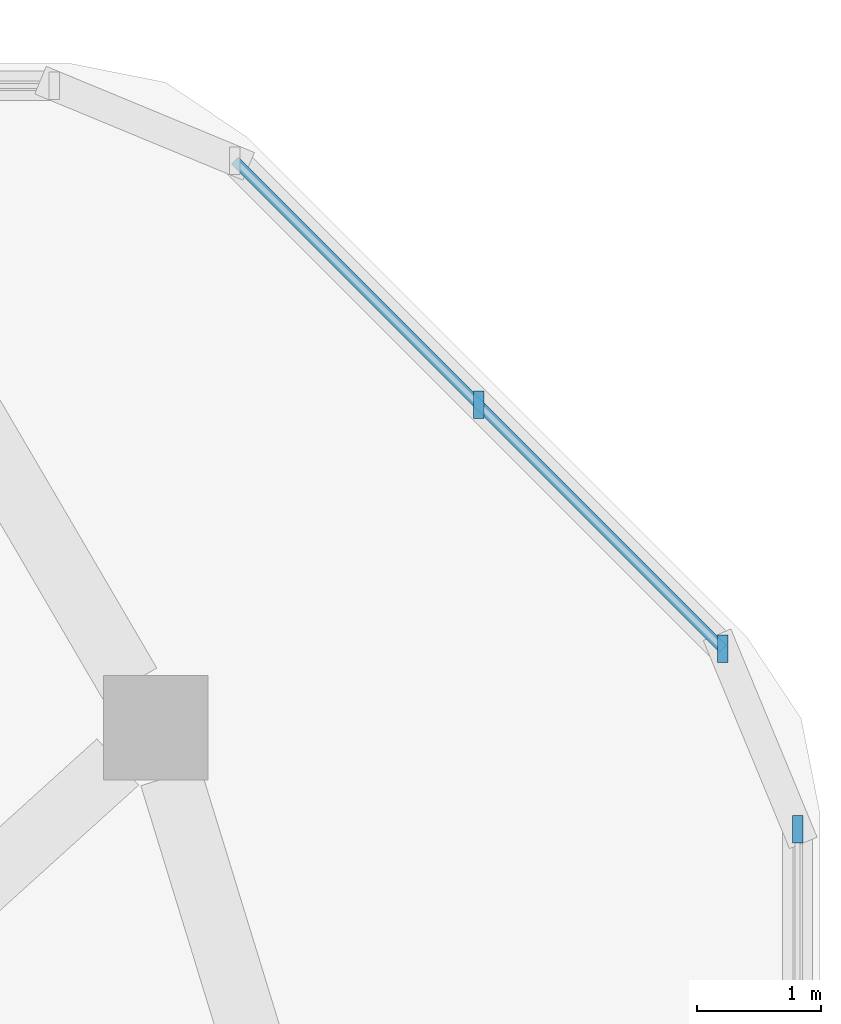
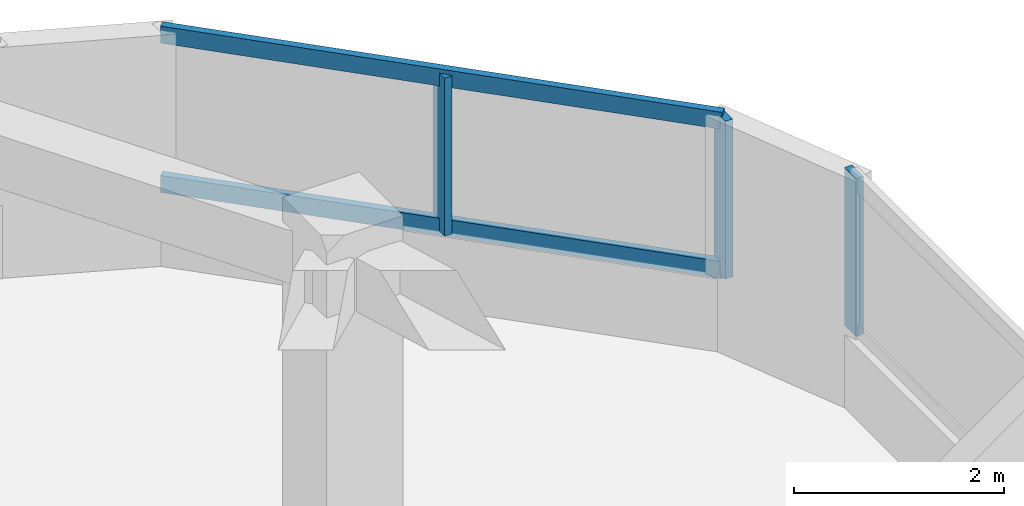
# One storey, part 6 of 13: 5 members, 2 elements without a shape of their own.
"""IFC4 building model written with IfcOpenShell, lengths in metres."""

import ifcopenshell
import ifcopenshell.guid

model = None  # the IFC model being written
_history = None  # IfcOwnerHistory: only IFC2X3 demands one
_inside = {}  # id of a spatial element -> (the spatial element, [elements in it])
_under = {}  # id of a project, library or spatial element -> (it, [spatial elements below it])
_declared = {}  # id of a project -> (the project, [libraries it declares])
_typed = {}  # id of a type object -> (the type object, [elements of that type])
_made_of = {}  # id of a material, layer set ... -> (it, [elements and type objects made of it])


def new_model(schema):
    """Start an empty IFC model of exactly this schema.

    Asked for "IFC4X3", IfcOpenShell would pick the latest addendum, in which some entities
    have other attributes; the version numbers below select the first issue.
    IFC2X3 requires an IfcOwnerHistory on every rooted entity: one is made here for all.
    """
    global model, _history
    if schema == "IFC4X3":
        model = ifcopenshell.file(schema_version=(4, 3, 0, 0))
    else:
        model = ifcopenshell.file(schema=schema)
    _inside.clear()
    _under.clear()
    _declared.clear()
    _typed.clear()
    _made_of.clear()
    _history = None
    if model.schema == "IFC2X3":
        org = make("IfcOrganization", Name="unknown")
        user = make(
            "IfcPersonAndOrganization",
            ThePerson=make("IfcPerson", FamilyName="unknown"),
            TheOrganization=org,
        )
        app = make(
            "IfcApplication",
            ApplicationDeveloper=org,
            Version="unknown",
            ApplicationFullName="unknown",
            ApplicationIdentifier="unknown",
        )
        _history = make(
            "IfcOwnerHistory",
            OwningUser=user,
            OwningApplication=app,
            ChangeAction="ADDED",
            CreationDate=0,
        )
    return model


def make(cls, **values):
    """One entity of the class cls with the attributes given. An attribute that is None is left unset."""
    return model.create_entity(
        cls, **{name: value for name, value in values.items() if value is not None}
    )


def rooted(cls, **values):
    """An entity with a GlobalId (a new one), such as an element, a storey or a relation."""
    return make(cls, GlobalId=ifcopenshell.guid.new(), OwnerHistory=_history, **values)


def si_unit(unit_type, name, prefix=None):
    """IfcSIUnit, for example si_unit("LENGTHUNIT", "METRE", prefix="MILLI")."""
    return make("IfcSIUnit", UnitType=unit_type, Prefix=prefix, Name=name)


def derived_unit(unit_type, elements):
    """IfcDerivedUnit: a product of units, each with its exponent."""
    return make(
        "IfcDerivedUnit",
        Elements=[
            make("IfcDerivedUnitElement", Unit=unit, Exponent=power)
            for unit, power in elements
        ],
        UnitType=unit_type,
    )


def assignment(units):
    """IfcUnitAssignment: the units of a project."""
    return None if units is None else make("IfcUnitAssignment", Units=units)


def point(xyz):
    """IfcCartesianPoint."""
    return None if xyz is None else make("IfcCartesianPoint", Coordinates=xyz)


def direction(xyz):
    """IfcDirection."""
    return None if xyz is None else make("IfcDirection", DirectionRatios=xyz)


def frame(location, z_axis=None, x_axis=None):
    """IfcAxis2Placement3D, a coordinate frame: its origin and axes. An axis left out is left unset."""
    return make(
        "IfcAxis2Placement3D",
        Location=point(location),
        Axis=direction(z_axis),
        RefDirection=direction(x_axis),
    )


def frame_2d(location, x_axis=None):
    """IfcAxis2Placement2D, a coordinate frame in the plane: its origin and x axis."""
    return make(
        "IfcAxis2Placement2D", Location=point(location), RefDirection=direction(x_axis)
    )


def origin():
    """The frame at (0, 0, 0) with its axes left unset."""
    return frame((0.0, 0.0, 0.0))


def origin_2d():
    """The frame at (0, 0) in the plane with its x axis left unset."""
    return frame_2d((0.0, 0.0))


def place(relative_to, where):
    """IfcLocalPlacement: puts the frame where relative to a parent placement (None: the world)."""
    return make(
        "IfcLocalPlacement", PlacementRelTo=relative_to, RelativePlacement=where
    )


def context(
    kind, dimensions, precision=None, world=None, true_north=None, identifier=None
):
    """IfcGeometricRepresentationContext, for example the 3D "Model" context."""
    return make(
        "IfcGeometricRepresentationContext",
        ContextIdentifier=identifier,
        ContextType=kind,
        CoordinateSpaceDimension=dimensions,
        Precision=precision,
        WorldCoordinateSystem=world,
        TrueNorth=true_north,
    )


def subcontext(parent, identifier, kind, view, scale=None):
    """IfcGeometricRepresentationSubContext, for example "Body" below "Model"."""
    return make(
        "IfcGeometricRepresentationSubContext",
        ContextIdentifier=identifier,
        ContextType=kind,
        ParentContext=parent,
        TargetScale=scale,
        TargetView=view,
    )


def project(units=None, contexts=None):
    """IfcProject with its units and contexts."""
    return rooted(
        "IfcProject",
        Name="project",
        RepresentationContexts=contexts,
        UnitsInContext=assignment(units),
    )


def spatial(cls, under=None, at=None, **own):
    """A site, building, storey or space (cls), placed at a placement, below another one or the project."""
    s = rooted(cls, ObjectPlacement=at, **own)
    if under is not None:
        _under.setdefault(under.id(), (under, []))[1].append(s)
    return s


def profile(cls, at=None, kind="AREA", **sizes):
    """A parametric profile (cls). Its sizes go by their IFC names, for example OverallWidth=200.0."""
    return make(cls, ProfileType=kind, Position=at, **sizes)


def rectangle(**sizes):
    """IfcRectangleProfileDef."""
    return profile("IfcRectangleProfileDef", **sizes)


def extrude(swept, where, along, depth):
    """IfcExtrudedAreaSolid: the profile swept, set in the frame where, extruded along a direction by depth."""
    return make(
        "IfcExtrudedAreaSolid",
        SweptArea=swept,
        Position=where,
        ExtrudedDirection=direction(along),
        Depth=depth,
    )


def shape(context_of_items, identifier, shape_type, items):
    """IfcShapeRepresentation: the items that make up one representation, for example the "Body"."""
    return make(
        "IfcShapeRepresentation",
        ContextOfItems=context_of_items,
        RepresentationIdentifier=identifier,
        RepresentationType=shape_type,
        Items=items,
    )


def material(Name=None, Category=None):
    """IfcMaterial."""
    return make("IfcMaterial", Name=Name, Category=Category)


def material_profile(
    of_material, cross_section, Name=None, Category=None, Priority=None
):
    """IfcMaterialProfile: a cross section and its material."""
    return make(
        "IfcMaterialProfile",
        Name=Name,
        Material=of_material,
        Profile=cross_section,
        Priority=Priority,
        Category=Category,
    )


def profile_set(profiles, Name=None, composite=None):
    """IfcMaterialProfileSet."""
    return make(
        "IfcMaterialProfileSet",
        Name=Name,
        MaterialProfiles=profiles,
        CompositeProfile=composite,
    )


def made_of(thing, what):
    """Note that an element or type object is made of a material, layer set ...; save() writes the relation."""
    if what is not None:
        _made_of.setdefault(what.id(), (what, []))[1].append(thing)
    return thing


def type_object(cls, material=None, **own):
    """A type object (cls), such as IfcWallType, which elements share."""
    return made_of(rooted(cls, **own), material)


def element(
    cls,
    number,
    at=None,
    inside=None,
    cuts=None,
    type_object=None,
    material=None,
    context=None,
    identifier="Body",
    shape_type=None,
    held_by="IfcProductDefinitionShape",
    body=None,
    shapes=None,
    **own,
):
    """One element of the class cls, such as IfcWall. Its Tag is "e" and its number.

    at: its placement. inside: the storey or other place that contains it. cuts: it is an
    opening in that element (IfcRelVoidsElement). A single representation is given by context,
    identifier, shape_type and body (its items); several are given by shapes. held_by: the class
    of the entity that holds the representations. save() writes the other relations.
    """
    e = rooted(cls, Tag="e%d" % number, ObjectPlacement=at, **own)
    if body is not None:
        shapes = [shape(context, identifier, shape_type, body)]
    if shapes is not None:
        e.Representation = make(held_by, Representations=shapes)
    if inside is not None:
        _inside.setdefault(inside.id(), (inside, []))[1].append(e)
    if cuts is not None:
        rooted(
            "IfcRelVoidsElement", RelatingBuildingElement=cuts, RelatedOpeningElement=e
        )
    if type_object is not None:
        _typed.setdefault(type_object.id(), (type_object, []))[1].append(e)
    return made_of(e, material)


def aggregate(whole, parts):
    """IfcRelAggregates: a whole, such as a stair, and the parts it consists of."""
    return rooted("IfcRelAggregates", RelatingObject=whole, RelatedObjects=parts)


def save(model, path):
    """Write the relations noted so far, then the file.

    IfcRelAggregates (storeys below a building ...), IfcRelContainedInSpatialStructure (elements
    in a storey), IfcRelDefinesByType, IfcRelAssociatesMaterial and IfcRelDeclares: one each for
    every whole, place, type object, material and project.
    """
    for whole, parts in _under.values():
        aggregate(whole, parts)
    for where, things in _inside.values():
        rooted(
            "IfcRelContainedInSpatialStructure",
            RelatedElements=things,
            RelatingStructure=where,
        )
    for kind, things in _typed.values():
        rooted("IfcRelDefinesByType", RelatedObjects=things, RelatingType=kind)
    for what, things in _made_of.values():
        rooted("IfcRelAssociatesMaterial", RelatedObjects=things, RelatingMaterial=what)
    for by, libraries in _declared.values():
        rooted("IfcRelDeclares", RelatingContext=by, RelatedDefinitions=libraries)
    model.write(path)


model = new_model("IFC4")

# Units and contexts
model_context = context("Model", 3, precision=1e-05, world=origin(), true_north=direction((0.0, 1.0)))
body_context = subcontext(model_context, "Body", "Model", "MODEL_VIEW")
ifc_project = project(units=[si_unit("LENGTHUNIT", "METRE"), si_unit("AREAUNIT", "SQUARE_METRE"), si_unit("VOLUMEUNIT", "CUBIC_METRE"), si_unit("PLANEANGLEUNIT", "RADIAN"), si_unit("MASSUNIT", "GRAM", prefix="KILO"), derived_unit("THERMALTRANSMITTANCEUNIT", [(si_unit("POWERUNIT", "WATT"), 1), (si_unit("LENGTHUNIT", "METRE"), -2), (si_unit("THERMODYNAMICTEMPERATUREUNIT", "KELVIN"), -1)])], contexts=[model_context])

# Site, building, storey
site_placement = place(None, origin())
site = spatial("IfcSite", under=ifc_project, at=site_placement, CompositionType="ELEMENT")
building_placement = place(site_placement, origin())
building = spatial("IfcBuilding", under=site, at=building_placement, Name="Koralith Skygarden Medical Center", CompositionType="ELEMENT")
storey_placement = place(building_placement, frame((0.0, 0.0, 264.419921875)))
storey = spatial("IfcBuildingStorey", under=building, at=storey_placement, Name="L68", CompositionType="ELEMENT", Elevation=264.419921875)

# Curtain wall, member
ifc_material_1 = material(Name="Clear Laminated Glass", Category="glass")
curtain_wall_type = type_object("IfcCurtainWallType", Name="CW-6 Zone 5 Upper Clinical Curtain Wall", PredefinedType="NOTDEFINED", material=ifc_material_1)
curtain_wall_1_placement = place(storey_placement, origin())
curtain_wall_1 = element("IfcCurtainWall", 1, at=curtain_wall_1_placement, inside=storey, type_object=curtain_wall_type, Name="Curtain Wall CW-L68-E", PredefinedType="NOTDEFINED")
ifc_material_2 = material(Name="Aluminium 6063-T6", Category="aluminium")
ifc_material_profile_1 = material_profile(ifc_material_2, rectangle(XDim=0.0830078125, YDim=0.219970703125, at=origin_2d()), Name="MUL83X220")
ifc_profile_set_1 = profile_set([ifc_material_profile_1], Name="Aluminium 6063-T6")
member_type_1 = type_object("IfcMemberType", Name="CW-6 Extruded Mullion 83x220", PredefinedType="MULLION", material=ifc_profile_set_1)
member_1_placement = place(storey_placement, frame((61.719970703125, 41.2451171875, 0.85009765625), z_axis=(0.0, 0.0, 1.0), x_axis=(1.0, 0.0, 0.0)))
member_1 = element("IfcMember", 2, at=member_1_placement, type_object=member_type_1, Name="CW-L68-E Mullion 4", PredefinedType="MULLION", context=body_context, shape_type="SweptSolid", body=[
    extrude(rectangle(XDim=0.0830078125, YDim=0.219970703125, at=origin_2d()), origin(), (0.0, 0.0, 1.0), 1.840087890625),
])
aggregate(curtain_wall_1, [member_1])

# Curtain wall, members
curtain_wall_2_placement = place(storey_placement, origin())
curtain_wall_2 = element("IfcCurtainWall", 3, at=curtain_wall_2_placement, inside=storey, type_object=curtain_wall_type, Name="Curtain Wall CW-L68-NE", PredefinedType="NOTDEFINED")
member_2_placement = place(storey_placement, frame((61.118896484375, 42.696044921875, 0.85009765625), z_axis=(0.0, 0.0, 1.0), x_axis=(1.0, 0.0, 0.0)))
member_2 = element("IfcMember", 4, at=member_2_placement, type_object=member_type_1, Name="CW-L68-NE Mullion 1", PredefinedType="MULLION", context=body_context, shape_type="SweptSolid", body=[
    extrude(rectangle(XDim=0.0830078125, YDim=0.219970703125, at=origin_2d()), origin(), (0.0, 0.0, 1.0), 1.840087890625),
])
member_3_placement = place(storey_placement, frame((59.156982421875, 44.656982421875, 0.85009765625), z_axis=(0.0, 0.0, 1.0), x_axis=(1.0, 0.0, 0.0)))
member_3 = element("IfcMember", 5, at=member_3_placement, type_object=member_type_1, Name="CW-L68-NE Mullion 2", PredefinedType="MULLION", context=body_context, shape_type="SweptSolid", body=[
    extrude(rectangle(XDim=0.0830078125, YDim=0.219970703125, at=origin_2d()), origin(), (0.0, 0.0, 1.0), 1.840087890625),
])
ifc_material_profile_2 = material_profile(ifc_material_2, rectangle(XDim=0.077880859375, YDim=0.197998046875, at=origin_2d()), Name="TRN78X198")
ifc_profile_set_2 = profile_set([ifc_material_profile_2], Name="Aluminium 6063-T6")
member_type_2 = type_object("IfcMemberType", Name="CW-6 Thermal Transom 78x198", PredefinedType="USERDEFINED", material=ifc_profile_set_2)
member_4_placement = place(storey_placement, frame((61.118896484375, 42.696044921875, 0.900146484375), z_axis=(-0.707106781187, 0.707106781187, 0.0), x_axis=(-0.707106781187, -0.707106781187, 0.0)))
member_4 = element("IfcMember", 6, at=member_4_placement, type_object=member_type_2, Name="CW-L68-NE Transom 1", ObjectType="TRANSOM", PredefinedType="USERDEFINED", context=body_context, shape_type="SweptSolid", body=[
    extrude(rectangle(XDim=0.077880859375, YDim=0.197998046875, at=origin_2d()), origin(), (0.0, 0.0, 1.0), 5.5478515625),
])
member_5_placement = place(storey_placement, frame((61.118896484375, 42.696044921875, 2.64013671875), z_axis=(-0.707106781187, 0.707106781187, 0.0), x_axis=(-0.707106781187, -0.707106781187, 0.0)))
member_5 = element("IfcMember", 7, at=member_5_placement, type_object=member_type_2, Name="CW-L68-NE Transom 2", ObjectType="TRANSOM", PredefinedType="USERDEFINED", context=body_context, shape_type="SweptSolid", body=[
    extrude(rectangle(XDim=0.077880859375, YDim=0.197998046875, at=origin_2d()), origin(), (0.0, 0.0, 1.0), 5.5478515625),
])
aggregate(curtain_wall_2, [member_2, member_3, member_4, member_5])

save(model, "model.ifc")
